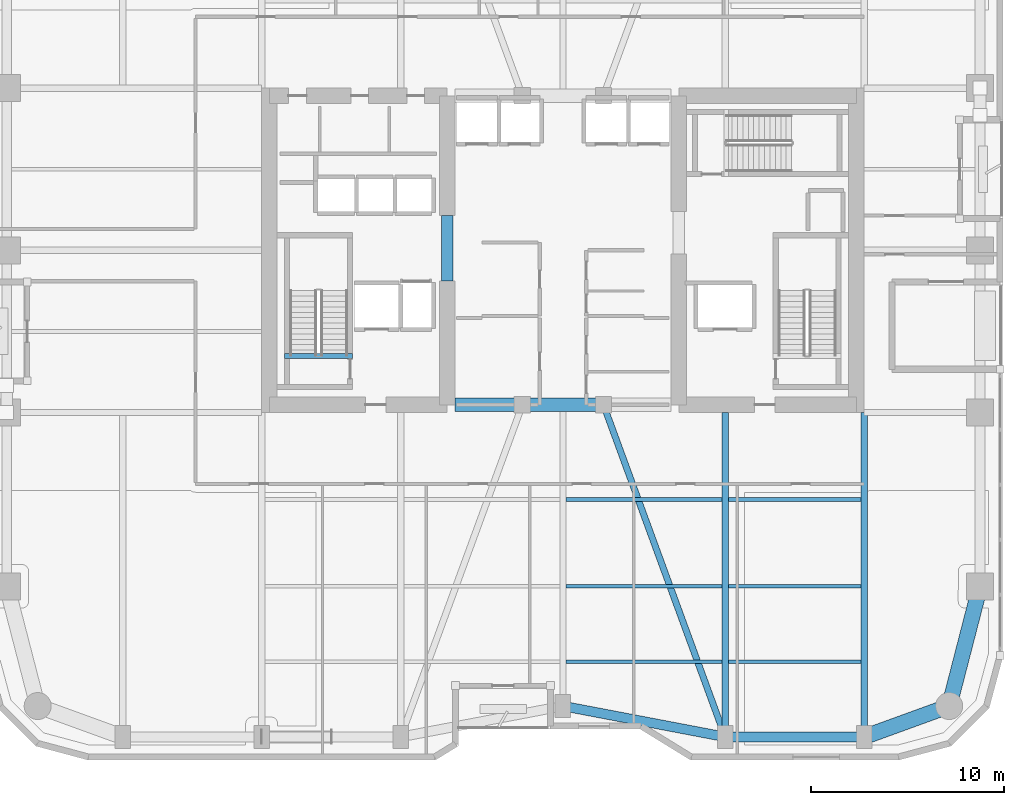
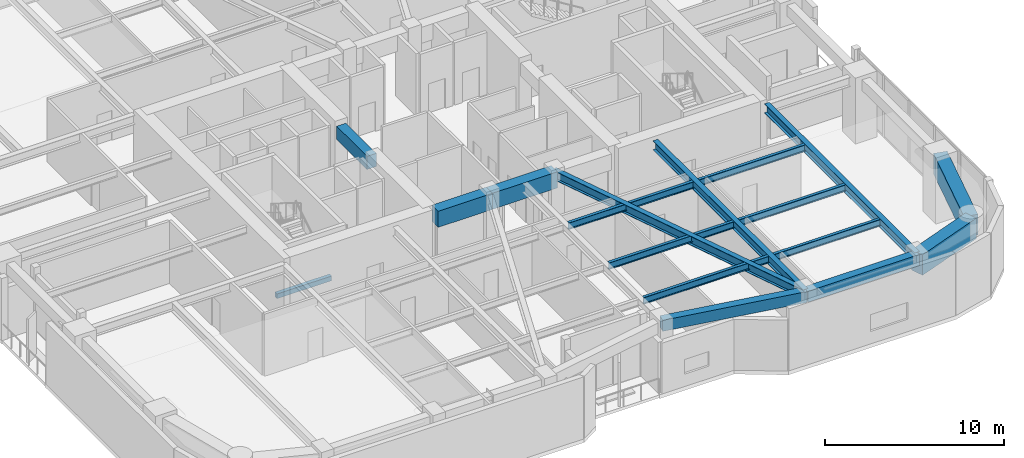
# One storey, part 3 of 20: 17 beams.
"""IFC4 building model written with IfcOpenShell, lengths in metres."""

from ifc_helpers import new_model, si_unit, direction, frame, origin, origin_2d, place, context, subcontext, project, spatial, rectangle, i_section, extrude, material, material_profile, profile_set, type_object, element, save


model = new_model("IFC4")

# Units and contexts
model_context = context("Model", 3, precision=1e-05, world=origin(), true_north=direction((0.0, 1.0)))
body_context = subcontext(model_context, "Body", "Model", "MODEL_VIEW")
ifc_project = project(units=[si_unit("LENGTHUNIT", "METRE"), si_unit("AREAUNIT", "SQUARE_METRE"), si_unit("VOLUMEUNIT", "CUBIC_METRE"), si_unit("PLANEANGLEUNIT", "RADIAN"), si_unit("MASSUNIT", "GRAM", prefix="KILO")], contexts=[model_context])

# Site, building, storey
site_placement = place(None, origin())
site = spatial("IfcSite", under=ifc_project, at=site_placement, CompositionType="ELEMENT")
building_placement = place(site_placement, origin())
building = spatial("IfcBuilding", under=site, at=building_placement, Name="Kiyonajd Concourse Tower", CompositionType="ELEMENT")
storey_placement = place(building_placement, frame((0.0, 0.0, 125.39990234375)))
storey = spatial("IfcBuildingStorey", under=building, at=storey_placement, Name="L32", CompositionType="ELEMENT", Elevation=125.39990234375)

# Beams
ifc_material_1 = material(Name="Concrete C70/85", Category="concrete")
ifc_material_profile_1 = material_profile(ifc_material_1, rectangle(XDim=0.699951171875, YDim=1.10009765625, at=origin_2d()), Name="RCBM-700x1100")
ifc_profile_set_1 = profile_set([ifc_material_profile_1], Name="Concrete C70/85")
beam_type_1 = type_object("IfcBeamType", Name="BM-COUP-1100", PredefinedType="LINTEL", material=ifc_profile_set_1)
beam_1_placement = place(storey_placement, frame((42.39990234375, 28.0, 3.690185546875), z_axis=(1.0, 0.0, 0.0), x_axis=(0.0, 1.0, 0.0)))
element("IfcBeam", 1, at=beam_1_placement, inside=storey, type_object=beam_type_1, Name="L32 Core Coupling Beam S1", PredefinedType="LINTEL", context=body_context, shape_type="SweptSolid", body=[
    extrude(rectangle(XDim=0.699951171875, YDim=1.10009765625, at=origin_2d()), origin(), (0.0, 0.0, 1.0), 3.5),
])
beam_2_placement = place(storey_placement, frame((45.89990234375, 28.0, 3.690185546875), z_axis=(1.0, 0.0, 0.0), x_axis=(0.0, 1.0, 0.0)))
element("IfcBeam", 2, at=beam_2_placement, inside=storey, type_object=beam_type_1, Name="L32 Core Coupling Beam S2", PredefinedType="LINTEL", context=body_context, shape_type="SweptSolid", body=[
    extrude(rectangle(XDim=0.699951171875, YDim=1.10009765625, at=origin_2d()), origin(), (0.0, 0.0, 1.0), 4.2001953125),
])
ifc_material_2 = material(Name="Concrete C60/75", Category="concrete")
ifc_material_profile_2 = material_profile(ifc_material_2, rectangle(XDim=0.60009765625, YDim=0.89990234375, at=origin_2d()), Name="RCBM-600x900")
ifc_profile_set_2 = profile_set([ifc_material_profile_2], Name="Concrete C60/75")
beam_type_2 = type_object("IfcBeamType", Name="BM-COUP-900", PredefinedType="LINTEL", material=ifc_profile_set_2)
beam_3_placement = place(storey_placement, frame((42.0, 34.39990234375, 3.690185546875), z_axis=(0.0, 1.0, 0.0), x_axis=(-1.0, 0.0, 0.0)))
element("IfcBeam", 3, at=beam_3_placement, inside=storey, type_object=beam_type_2, Name="L32 West Core Throat Coupling Lintel", PredefinedType="LINTEL", context=body_context, shape_type="SweptSolid", body=[
    extrude(rectangle(XDim=0.60009765625, YDim=0.89990234375, at=origin_2d()), origin(), (0.0, 0.0, 1.0), 3.400146484375),
])
ifc_material_3 = material(Name="Steel ASTM A992 Grade 50", Category="steel")
ifc_material_profile_3 = material_profile(ifc_material_3, i_section(OverallWidth=0.19189453125, OverallDepth=0.462890625, WebThickness=0.010498046875, FlangeThickness=0.017578125, at=origin_2d()), Name="W460X89")
ifc_profile_set_3 = profile_set([ifc_material_profile_3], Name="Steel ASTM A992 Grade 50")
beam_type_3 = type_object("IfcBeamType", Name="BM-JST-460B", PredefinedType="JOIST", material=ifc_profile_set_3)
beam_4_placement = place(storey_placement, frame((48.16357421875, 14.699951171875, 4.008544921875), z_axis=(1.0, 0.0, 0.0), x_axis=(0.0, 1.0, 0.0)))
element("IfcBeam", 4, at=beam_4_placement, inside=storey, type_object=beam_type_3, Name="L32 Secondary Floor Joist", PredefinedType="JOIST", context=body_context, shape_type="SweptSolid", body=[
    extrude(i_section(OverallWidth=0.19189453125, OverallDepth=0.462890625, WebThickness=0.010498046875, FlangeThickness=0.017578125, at=origin_2d()), origin(), (0.0, 0.0, 1.0), 8.072998046875),
])
beam_5_placement = place(storey_placement, frame((56.5634765625, 14.699951171875, 4.008544921875), z_axis=(1.0, 0.0, 0.0), x_axis=(0.0, 1.0, 0.0)))
element("IfcBeam", 5, at=beam_5_placement, inside=storey, type_object=beam_type_3, Name="L32 Secondary Floor Joist", PredefinedType="JOIST", context=body_context, shape_type="SweptSolid", body=[
    extrude(i_section(OverallWidth=0.19189453125, OverallDepth=0.462890625, WebThickness=0.010498046875, FlangeThickness=0.017578125, at=origin_2d()), origin(), (0.0, 0.0, 1.0), 6.873046875),
])
beam_6_placement = place(storey_placement, frame((48.16357421875, 18.60009765625, 4.008544921875), z_axis=(1.0, 0.0, 0.0), x_axis=(0.0, 1.0, 0.0)))
element("IfcBeam", 6, at=beam_6_placement, inside=storey, type_object=beam_type_3, Name="L32 Secondary Floor Joist", PredefinedType="JOIST", context=body_context, shape_type="SweptSolid", body=[
    extrude(i_section(OverallWidth=0.19189453125, OverallDepth=0.462890625, WebThickness=0.010498046875, FlangeThickness=0.017578125, at=origin_2d()), origin(), (0.0, 0.0, 1.0), 8.072998046875),
])
beam_7_placement = place(storey_placement, frame((56.5634765625, 18.60009765625, 4.008544921875), z_axis=(1.0, 0.0, 0.0), x_axis=(0.0, 1.0, 0.0)))
element("IfcBeam", 7, at=beam_7_placement, inside=storey, type_object=beam_type_3, Name="L32 Secondary Floor Joist", PredefinedType="JOIST", context=body_context, shape_type="SweptSolid", body=[
    extrude(i_section(OverallWidth=0.19189453125, OverallDepth=0.462890625, WebThickness=0.010498046875, FlangeThickness=0.017578125, at=origin_2d()), origin(), (0.0, 0.0, 1.0), 6.873046875),
])
beam_8_placement = place(storey_placement, frame((48.16357421875, 23.10009765625, 4.008544921875), z_axis=(1.0, 0.0, 0.0), x_axis=(0.0, 1.0, 0.0)))
element("IfcBeam", 8, at=beam_8_placement, inside=storey, type_object=beam_type_3, Name="L32 Secondary Floor Joist", PredefinedType="JOIST", context=body_context, shape_type="SweptSolid", body=[
    extrude(i_section(OverallWidth=0.19189453125, OverallDepth=0.462890625, WebThickness=0.010498046875, FlangeThickness=0.017578125, at=origin_2d()), origin(), (0.0, 0.0, 1.0), 8.072998046875),
])
beam_9_placement = place(storey_placement, frame((56.5634765625, 23.10009765625, 4.008544921875), z_axis=(1.0, 0.0, 0.0), x_axis=(0.0, 1.0, 0.0)))
element("IfcBeam", 9, at=beam_9_placement, inside=storey, type_object=beam_type_3, Name="L32 Secondary Floor Joist", PredefinedType="JOIST", context=body_context, shape_type="SweptSolid", body=[
    extrude(i_section(OverallWidth=0.19189453125, OverallDepth=0.462890625, WebThickness=0.010498046875, FlangeThickness=0.017578125, at=origin_2d()), origin(), (0.0, 0.0, 1.0), 6.873046875),
])
ifc_material_4 = material(Name="Concrete C50/60", Category="concrete")
ifc_material_profile_4 = material_profile(ifc_material_4, rectangle(XDim=0.239990234375, YDim=0.320068359375, at=origin_2d()), Name="RCBM-240x320")
ifc_profile_set_4 = profile_set([ifc_material_profile_4], Name="Concrete C50/60")
beam_type_4 = type_object("IfcBeamType", Name="BM-LNT-250", PredefinedType="LINTEL", material=ifc_profile_set_4)
beam_10_placement = place(storey_placement, frame((33.590087890625, 30.530029296875, -0.159912109375), z_axis=(1.0, 0.0, 0.0), x_axis=(0.0, 1.0, 0.0)))
element("IfcBeam", 10, at=beam_10_placement, inside=storey, type_object=beam_type_4, Name="L32 Stair ST1 Threshold Support Beam", PredefinedType="LINTEL", context=body_context, shape_type="SweptSolid", body=[
    extrude(rectangle(XDim=0.239990234375, YDim=0.320068359375, at=origin_2d()), origin(), (0.0, 0.0, 1.0), 3.52001953125),
])
ifc_material_5 = material(Name="Precast concrete C50/60", Category="concrete")
ifc_material_profile_5 = material_profile(ifc_material_5, rectangle(XDim=0.5, YDim=0.75, at=origin_2d()), Name="RCBM-500x750")
ifc_profile_set_5 = profile_set([ifc_material_profile_5], Name="Precast concrete C50/60")
beam_type_5 = type_object("IfcBeamType", Name="BM-SPAN-RC", PredefinedType="SPANDREL", material=ifc_profile_set_5)
beam_11_placement = place(storey_placement, frame((48.0, 12.39990234375, 3.864990234375), z_axis=(0.982341315253, -0.187097675953, 0.0), x_axis=(0.187097675953, 0.982341315253, 0.0)))
element("IfcBeam", 11, at=beam_11_placement, inside=storey, type_object=beam_type_5, Name="L32 Perimeter Bundled Tube Spandrel", PredefinedType="SPANDREL", context=body_context, shape_type="SweptSolid", body=[
    extrude(rectangle(XDim=0.5, YDim=0.75, at=origin_2d()), origin(), (0.0, 0.0, 1.0), 8.55078125),
])
beam_12_placement = place(storey_placement, frame((56.39990234375, 10.800048828125, 3.864990234375), z_axis=(1.0, 0.0, 0.0), x_axis=(0.0, 1.0, 0.0)))
element("IfcBeam", 12, at=beam_12_placement, inside=storey, type_object=beam_type_5, Name="L32 Perimeter Bundled Tube Spandrel", PredefinedType="SPANDREL", context=body_context, shape_type="SweptSolid", body=[
    extrude(rectangle(XDim=0.5, YDim=0.75, at=origin_2d()), origin(), (0.0, 0.0, 1.0), 7.2001953125),
])
ifc_material_profile_6 = material_profile(ifc_material_3, i_section(OverallWidth=0.326904296875, OverallDepth=0.6220703125, WebThickness=0.015380859375, FlangeThickness=0.0244140625, at=origin_2d()), Name="W610X195")
ifc_profile_set_6 = profile_set([ifc_material_profile_6], Name="Steel ASTM A992 Grade 50")
beam_type_6 = type_object("IfcBeamType", Name="BM-TWR-610A", PredefinedType="BEAM", material=ifc_profile_set_6)
beam_13_placement = place(storey_placement, frame((50.10009765625, 28.0, 3.92919921875), z_axis=(0.343925269715, -0.938997022813, 0.0), x_axis=(0.938997022813, 0.343925269715, 0.0)))
element("IfcBeam", 13, at=beam_13_placement, inside=storey, type_object=beam_type_6, Name="L32 Core Tie Girder", PredefinedType="BEAM", context=body_context, shape_type="SweptSolid", body=[
    extrude(i_section(OverallWidth=0.326904296875, OverallDepth=0.6220703125, WebThickness=0.015380859375, FlangeThickness=0.0244140625, at=origin_2d()), origin(), (0.0, 0.0, 1.0), 18.3173828125),
])
for number, where, z_axis, x_axis, name in (
    (14, (56.39990234375, 10.800048828125, 3.92919921875), (0.0, 1.0, 0.0), (-1.0, 0.0, 0.0), "L32 South Lease Girder"),
    (15, (63.60009765625, 10.800048828125, 3.92919921875), (0.0, 1.0, 0.0), (-1.0, 0.0, 0.0), "L32 South Lease Girder"),
):
    element("IfcBeam", number, at=place(storey_placement, frame(where, z_axis=z_axis, x_axis=x_axis)), inside=storey, type_object=beam_type_6, Name=name, PredefinedType="BEAM", context=body_context, shape_type="SweptSolid", body=[
        extrude(i_section(OverallWidth=0.326904296875, OverallDepth=0.6220703125, WebThickness=0.015380859375, FlangeThickness=0.0244140625, at=origin_2d()), origin(), (0.0, 0.0, 1.0), 16.800048828125),
    ])
ifc_material_profile_7 = material_profile(ifc_material_2, rectangle(XDim=0.800048828125, YDim=1.39990234375, at=origin_2d()), Name="RCBM-800x1400")
ifc_profile_set_7 = profile_set([ifc_material_profile_7], Name="Concrete C60/75")
beam_type_7 = type_object("IfcBeamType", Name="BM-XFER-RC", PredefinedType="BEAM", material=ifc_profile_set_7)
beam_14_placement = place(storey_placement, frame((63.60009765625, 10.800048828125, 3.5400390625), z_axis=(0.939801036019, 0.341722127901, 0.0), x_axis=(-0.341722127901, 0.939801036019, 0.0)))
element("IfcBeam", 16, at=beam_14_placement, inside=storey, type_object=beam_type_7, Name="L32 Perimeter Bundled Tube Spandrel", PredefinedType="BEAM", context=body_context, shape_type="SweptSolid", body=[
    extrude(rectangle(XDim=0.800048828125, YDim=1.39990234375, at=origin_2d()), origin(), (0.0, 0.0, 1.0), 4.681640625),
])
beam_15_placement = place(storey_placement, frame((68.0, 12.39990234375, 3.5400390625), z_axis=(0.249884937687, 0.968275538221, 0.0), x_axis=(-0.968275538221, 0.249884937687, 0.0)))
element("IfcBeam", 17, at=beam_15_placement, inside=storey, type_object=beam_type_7, Name="L32 Perimeter Bundled Tube Spandrel", PredefinedType="BEAM", context=body_context, shape_type="SweptSolid", body=[
    extrude(rectangle(XDim=0.800048828125, YDim=1.39990234375, at=origin_2d()), origin(), (0.0, 0.0, 1.0), 6.4033203125),
])

save(model, "model.ifc")
